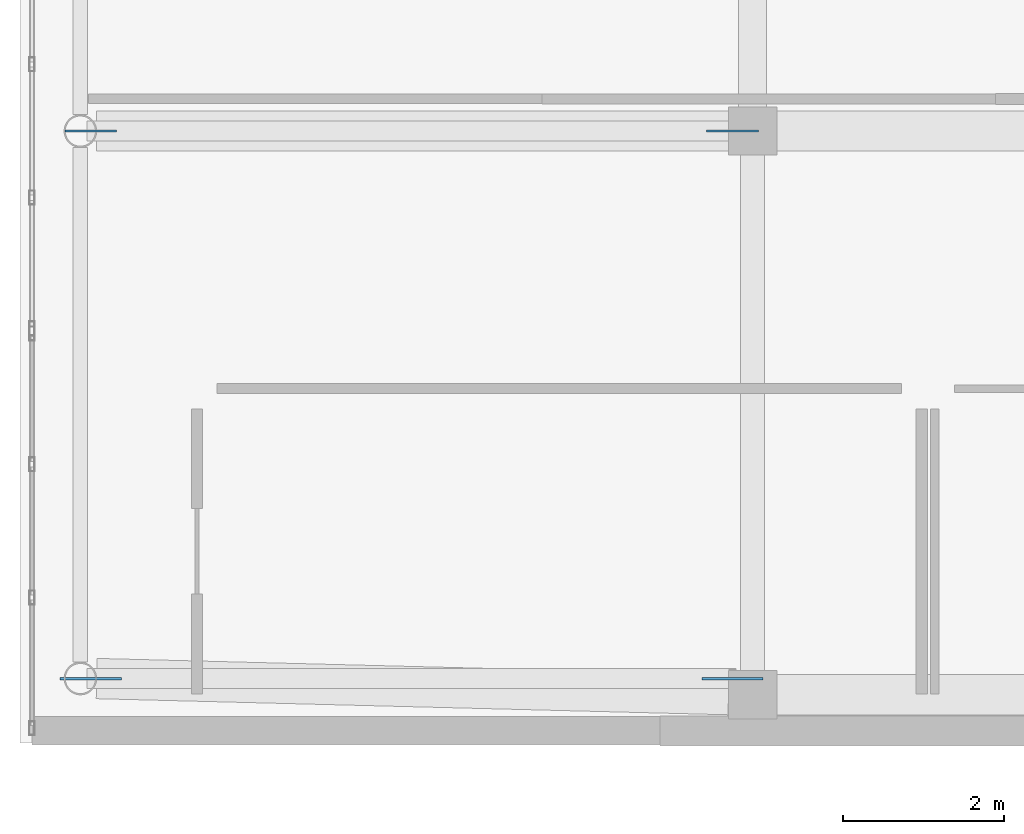
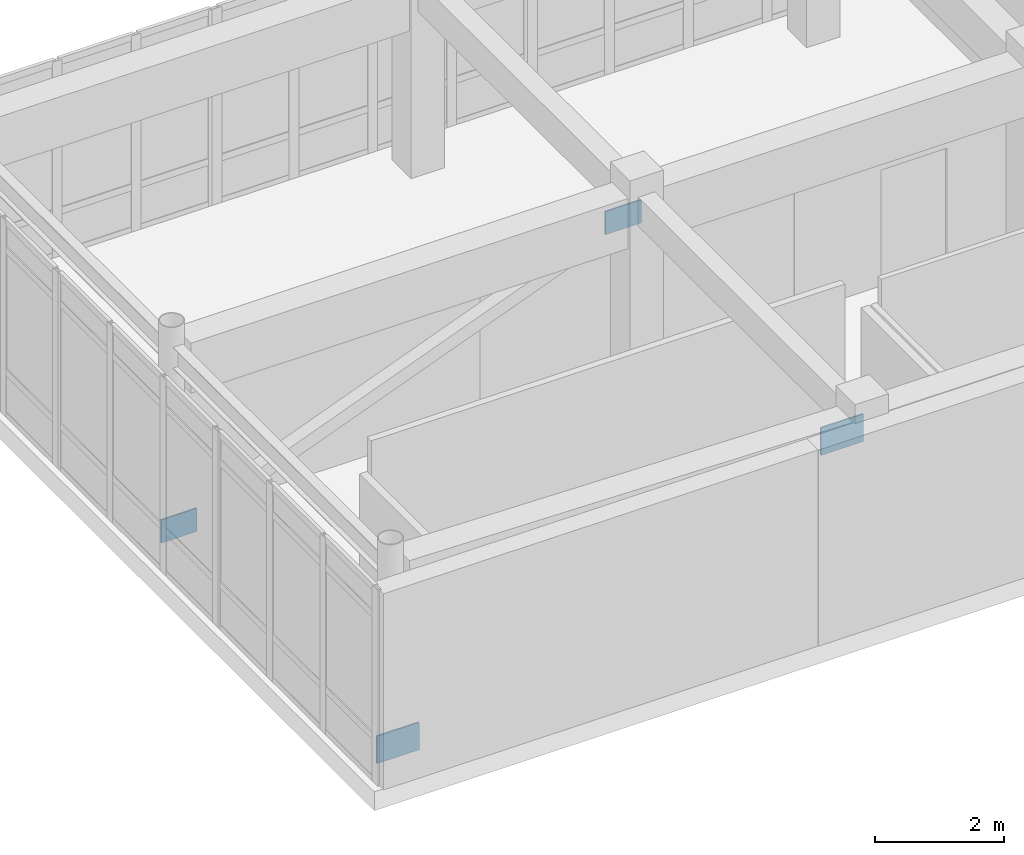
# One storey, part 41 of 52: 4 plates.
"""IFC4 building model written with IfcOpenShell, lengths in metres."""

from ifc_helpers import new_model, si_unit, direction, frame, origin, origin_2d, place, context, subcontext, project, spatial, rectangle, extrude, material, layer, layer_set, type_object, element, save


model = new_model("IFC4")

# Units and contexts
model_context = context("Model", 3, precision=1e-05, world=origin(), true_north=direction((0.0, 1.0)))
body_context = subcontext(model_context, "Body", "Model", "MODEL_VIEW")
ifc_project = project(units=[si_unit("LENGTHUNIT", "METRE"), si_unit("AREAUNIT", "SQUARE_METRE"), si_unit("VOLUMEUNIT", "CUBIC_METRE"), si_unit("PLANEANGLEUNIT", "RADIAN"), si_unit("MASSUNIT", "GRAM", prefix="KILO")], contexts=[model_context])

# Site, building, storey
site_placement = place(None, origin())
site = spatial("IfcSite", under=ifc_project, at=site_placement, CompositionType="ELEMENT")
building_placement = place(site_placement, origin())
building = spatial("IfcBuilding", under=site, at=building_placement, Name="Valcora Specialist Clinic", CompositionType="ELEMENT")
storey_placement = place(building_placement, frame((0.0, 0.0, 17.679931640625)))
storey = spatial("IfcBuildingStorey", under=building, at=storey_placement, Name="L04", CompositionType="ELEMENT", Elevation=17.679931640625)

# Plates
ifc_material = material(Name="Steel ASTM A572 Grade 50", Category="steel")
ifc_layer_1 = layer(ifc_material, 0.030029296875)
ifc_layer_set_1 = layer_set([ifc_layer_1], Name="Steel ASTM A572 Grade 50")
plate_type_1 = type_object("IfcPlateType", Name="TY-PL-CANT1", PredefinedType="USERDEFINED", material=ifc_layer_set_1)
for number, where, z_axis, x_axis, name in (
    (1, (8.85009765625, 8.39990234375, 2.93994140625), (0.0, 0.0, 1.0), (1.0, 0.0, 0.0), "Cantilever truss upper gusset L04"),
    (2, (0.8798828125, 8.39990234375, -0.119873046875), (0.0, 0.0, 1.0), (1.0, 0.0, 0.0), "Cantilever truss lower gusset L04"),
):
    element("IfcPlate", number, at=place(storey_placement, frame(where, z_axis=z_axis, x_axis=x_axis)), inside=storey, type_object=plate_type_1, Name=name, ObjectType="GUSSET_PLATE", PredefinedType="USERDEFINED", context=body_context, shape_type="SweptSolid", body=[
        extrude(rectangle(XDim=0.760009765625, YDim=0.030029296875, at=origin_2d()), origin(), (0.0, 0.0, 1.0), 0.52001953125),
    ])
ifc_layer_2 = layer(ifc_material, 0.028076171875)
ifc_layer_set_2 = layer_set([ifc_layer_2], Name="Steel ASTM A572 Grade 50")
plate_type_2 = type_object("IfcPlateType", Name="TY-PL-CANT2", PredefinedType="USERDEFINED", material=ifc_layer_set_2)
for number, where, z_axis, x_axis, name in (
    (3, (8.85009765625, 15.199951171875, 2.97998046875), (0.0, 0.0, 1.0), (1.0, 0.0, 0.0), "Cantilever truss upper gusset L04"),
    (4, (0.8798828125, 15.199951171875, -0.079833984375), (0.0, 0.0, 1.0), (1.0, 0.0, 0.0), "Cantilever truss lower gusset L04"),
):
    element("IfcPlate", number, at=place(storey_placement, frame(where, z_axis=z_axis, x_axis=x_axis)), inside=storey, type_object=plate_type_2, Name=name, ObjectType="GUSSET_PLATE", PredefinedType="USERDEFINED", context=body_context, shape_type="SweptSolid", body=[
        extrude(rectangle(XDim=0.639892578125, YDim=0.028076171875, at=origin_2d()), origin(), (0.0, 0.0, 1.0), 0.43994140625),
    ])

save(model, "model.ifc")
